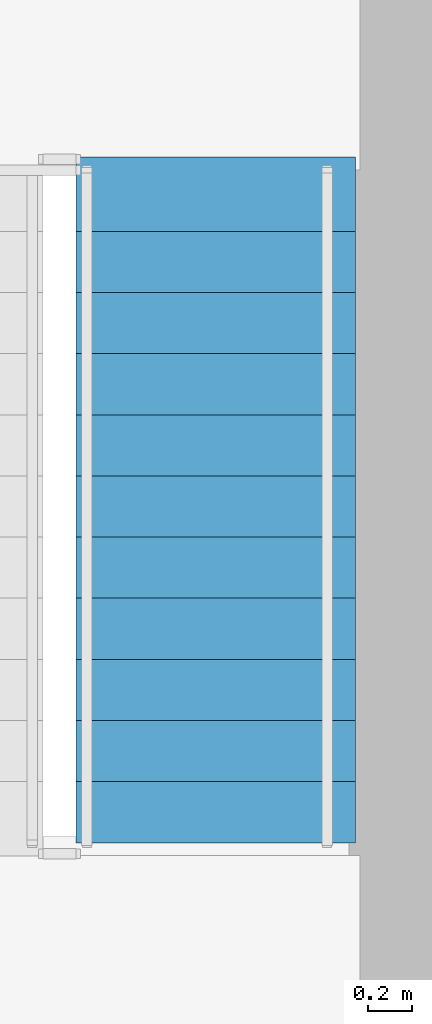
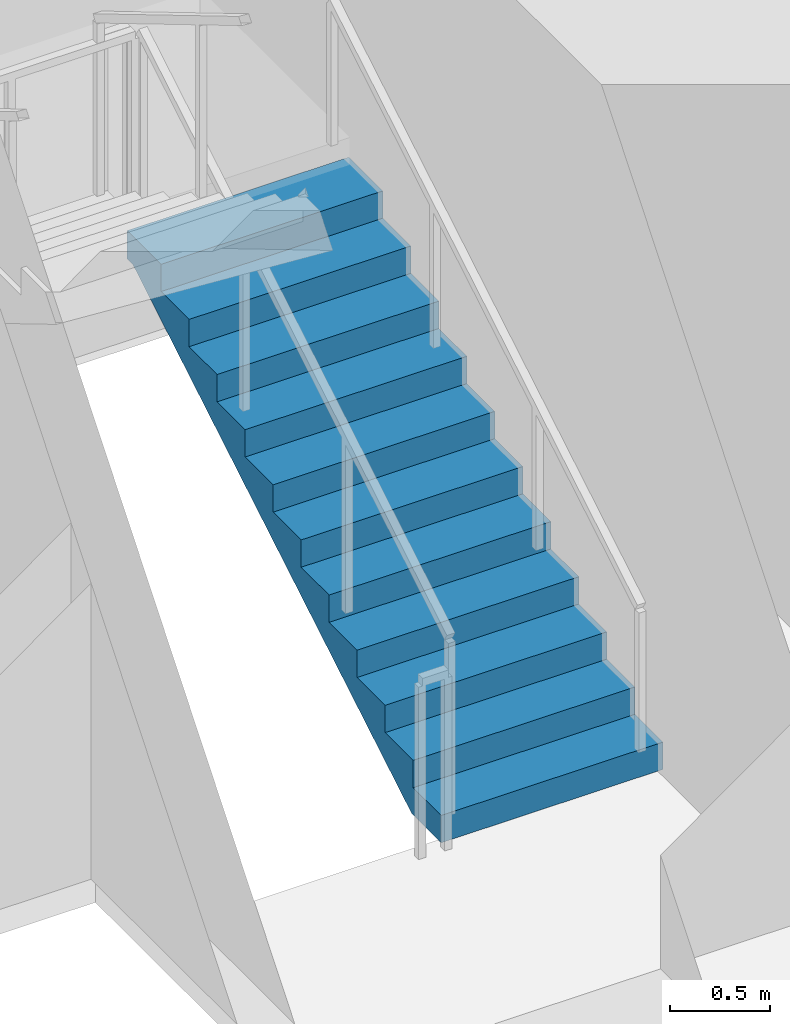
# One storey, part 11 of 17: 1 stair flight, 1 element without a shape of its own.
"""IFC4 building model written with IfcOpenShell, lengths in metres."""

import ifcopenshell
import ifcopenshell.guid

model = None  # the IFC model being written
_history = None  # IfcOwnerHistory: only IFC2X3 demands one
_inside = {}  # id of a spatial element -> (the spatial element, [elements in it])
_under = {}  # id of a project, library or spatial element -> (it, [spatial elements below it])
_declared = {}  # id of a project -> (the project, [libraries it declares])
_typed = {}  # id of a type object -> (the type object, [elements of that type])
_made_of = {}  # id of a material, layer set ... -> (it, [elements and type objects made of it])


def new_model(schema):
    """Start an empty IFC model of exactly this schema.

    Asked for "IFC4X3", IfcOpenShell would pick the latest addendum, in which some entities
    have other attributes; the version numbers below select the first issue.
    IFC2X3 requires an IfcOwnerHistory on every rooted entity: one is made here for all.
    """
    global model, _history
    if schema == "IFC4X3":
        model = ifcopenshell.file(schema_version=(4, 3, 0, 0))
    else:
        model = ifcopenshell.file(schema=schema)
    _inside.clear()
    _under.clear()
    _declared.clear()
    _typed.clear()
    _made_of.clear()
    _history = None
    if model.schema == "IFC2X3":
        org = make("IfcOrganization", Name="unknown")
        user = make(
            "IfcPersonAndOrganization",
            ThePerson=make("IfcPerson", FamilyName="unknown"),
            TheOrganization=org,
        )
        app = make(
            "IfcApplication",
            ApplicationDeveloper=org,
            Version="unknown",
            ApplicationFullName="unknown",
            ApplicationIdentifier="unknown",
        )
        _history = make(
            "IfcOwnerHistory",
            OwningUser=user,
            OwningApplication=app,
            ChangeAction="ADDED",
            CreationDate=0,
        )
    return model


def make(cls, **values):
    """One entity of the class cls with the attributes given. An attribute that is None is left unset."""
    return model.create_entity(
        cls, **{name: value for name, value in values.items() if value is not None}
    )


def rooted(cls, **values):
    """An entity with a GlobalId (a new one), such as an element, a storey or a relation."""
    return make(cls, GlobalId=ifcopenshell.guid.new(), OwnerHistory=_history, **values)


def si_unit(unit_type, name, prefix=None):
    """IfcSIUnit, for example si_unit("LENGTHUNIT", "METRE", prefix="MILLI")."""
    return make("IfcSIUnit", UnitType=unit_type, Prefix=prefix, Name=name)


def assignment(units):
    """IfcUnitAssignment: the units of a project."""
    return None if units is None else make("IfcUnitAssignment", Units=units)


def point(xyz):
    """IfcCartesianPoint."""
    return None if xyz is None else make("IfcCartesianPoint", Coordinates=xyz)


def direction(xyz):
    """IfcDirection."""
    return None if xyz is None else make("IfcDirection", DirectionRatios=xyz)


def frame(location, z_axis=None, x_axis=None):
    """IfcAxis2Placement3D, a coordinate frame: its origin and axes. An axis left out is left unset."""
    return make(
        "IfcAxis2Placement3D",
        Location=point(location),
        Axis=direction(z_axis),
        RefDirection=direction(x_axis),
    )


def origin():
    """The frame at (0, 0, 0) with its axes left unset."""
    return frame((0.0, 0.0, 0.0))


def place(relative_to, where):
    """IfcLocalPlacement: puts the frame where relative to a parent placement (None: the world)."""
    return make(
        "IfcLocalPlacement", PlacementRelTo=relative_to, RelativePlacement=where
    )


def context(
    kind, dimensions, precision=None, world=None, true_north=None, identifier=None
):
    """IfcGeometricRepresentationContext, for example the 3D "Model" context."""
    return make(
        "IfcGeometricRepresentationContext",
        ContextIdentifier=identifier,
        ContextType=kind,
        CoordinateSpaceDimension=dimensions,
        Precision=precision,
        WorldCoordinateSystem=world,
        TrueNorth=true_north,
    )


def subcontext(parent, identifier, kind, view, scale=None):
    """IfcGeometricRepresentationSubContext, for example "Body" below "Model"."""
    return make(
        "IfcGeometricRepresentationSubContext",
        ContextIdentifier=identifier,
        ContextType=kind,
        ParentContext=parent,
        TargetScale=scale,
        TargetView=view,
    )


def project(units=None, contexts=None):
    """IfcProject with its units and contexts."""
    return rooted(
        "IfcProject",
        Name="project",
        RepresentationContexts=contexts,
        UnitsInContext=assignment(units),
    )


def spatial(cls, under=None, at=None, **own):
    """A site, building, storey or space (cls), placed at a placement, below another one or the project."""
    s = rooted(cls, ObjectPlacement=at, **own)
    if under is not None:
        _under.setdefault(under.id(), (under, []))[1].append(s)
    return s


def polyline(points):
    """IfcPolyline through the points."""
    return make("IfcPolyline", Points=[point(p) for p in points])


def outline(outer, holes=None, kind="AREA"):
    """IfcArbitraryClosedProfileDef: a profile drawn as a closed curve; with holes, ...WithVoids."""
    if holes is None:
        return make("IfcArbitraryClosedProfileDef", ProfileType=kind, OuterCurve=outer)
    return make(
        "IfcArbitraryProfileDefWithVoids",
        ProfileType=kind,
        OuterCurve=outer,
        InnerCurves=holes,
    )


def extrude(swept, where, along, depth):
    """IfcExtrudedAreaSolid: the profile swept, set in the frame where, extruded along a direction by depth."""
    return make(
        "IfcExtrudedAreaSolid",
        SweptArea=swept,
        Position=where,
        ExtrudedDirection=direction(along),
        Depth=depth,
    )


def shape(context_of_items, identifier, shape_type, items):
    """IfcShapeRepresentation: the items that make up one representation, for example the "Body"."""
    return make(
        "IfcShapeRepresentation",
        ContextOfItems=context_of_items,
        RepresentationIdentifier=identifier,
        RepresentationType=shape_type,
        Items=items,
    )


def material(Name=None, Category=None):
    """IfcMaterial."""
    return make("IfcMaterial", Name=Name, Category=Category)


def made_of(thing, what):
    """Note that an element or type object is made of a material, layer set ...; save() writes the relation."""
    if what is not None:
        _made_of.setdefault(what.id(), (what, []))[1].append(thing)
    return thing


def type_object(cls, material=None, **own):
    """A type object (cls), such as IfcWallType, which elements share."""
    return made_of(rooted(cls, **own), material)


def element(
    cls,
    number,
    at=None,
    inside=None,
    cuts=None,
    type_object=None,
    material=None,
    context=None,
    identifier="Body",
    shape_type=None,
    held_by="IfcProductDefinitionShape",
    body=None,
    shapes=None,
    **own,
):
    """One element of the class cls, such as IfcWall. Its Tag is "e" and its number.

    at: its placement. inside: the storey or other place that contains it. cuts: it is an
    opening in that element (IfcRelVoidsElement). A single representation is given by context,
    identifier, shape_type and body (its items); several are given by shapes. held_by: the class
    of the entity that holds the representations. save() writes the other relations.
    """
    e = rooted(cls, Tag="e%d" % number, ObjectPlacement=at, **own)
    if body is not None:
        shapes = [shape(context, identifier, shape_type, body)]
    if shapes is not None:
        e.Representation = make(held_by, Representations=shapes)
    if inside is not None:
        _inside.setdefault(inside.id(), (inside, []))[1].append(e)
    if cuts is not None:
        rooted(
            "IfcRelVoidsElement", RelatingBuildingElement=cuts, RelatedOpeningElement=e
        )
    if type_object is not None:
        _typed.setdefault(type_object.id(), (type_object, []))[1].append(e)
    return made_of(e, material)


def aggregate(whole, parts):
    """IfcRelAggregates: a whole, such as a stair, and the parts it consists of."""
    return rooted("IfcRelAggregates", RelatingObject=whole, RelatedObjects=parts)


def save(model, path):
    """Write the relations noted so far, then the file.

    IfcRelAggregates (storeys below a building ...), IfcRelContainedInSpatialStructure (elements
    in a storey), IfcRelDefinesByType, IfcRelAssociatesMaterial and IfcRelDeclares: one each for
    every whole, place, type object, material and project.
    """
    for whole, parts in _under.values():
        aggregate(whole, parts)
    for where, things in _inside.values():
        rooted(
            "IfcRelContainedInSpatialStructure",
            RelatedElements=things,
            RelatingStructure=where,
        )
    for kind, things in _typed.values():
        rooted("IfcRelDefinesByType", RelatedObjects=things, RelatingType=kind)
    for what, things in _made_of.values():
        rooted("IfcRelAssociatesMaterial", RelatedObjects=things, RelatingMaterial=what)
    for by, libraries in _declared.values():
        rooted("IfcRelDeclares", RelatingContext=by, RelatedDefinitions=libraries)
    model.write(path)


model = new_model("IFC4")

# Units and contexts
model_context = context("Model", 3, precision=1e-05, world=origin(), true_north=direction((0.0, 1.0)))
body_context = subcontext(model_context, "Body", "Model", "MODEL_VIEW")
ifc_project = project(units=[si_unit("LENGTHUNIT", "METRE"), si_unit("AREAUNIT", "SQUARE_METRE"), si_unit("VOLUMEUNIT", "CUBIC_METRE"), si_unit("PLANEANGLEUNIT", "RADIAN"), si_unit("MASSUNIT", "GRAM", prefix="KILO")], contexts=[model_context])

# Site, building, storey
site_placement = place(None, origin())
site = spatial("IfcSite", under=ifc_project, at=site_placement, CompositionType="ELEMENT")
building_placement = place(site_placement, origin())
building = spatial("IfcBuilding", under=site, at=building_placement, Name="Sennacour Bend Tower", CompositionType="ELEMENT")
storey_placement = place(building_placement, frame((0.0, 0.0, 49.0)))
storey = spatial("IfcBuildingStorey", under=building, at=storey_placement, Name="L10", CompositionType="ELEMENT", Elevation=49.0)

# Stair, stair flight
ifc_material = material(Name="Concrete C40/50", Category="concrete")
stair_type = type_object("IfcStairType", Name="ST-DOGLEG", PredefinedType="HALF_TURN_STAIR", material=ifc_material)
stair_placement = place(storey_placement, origin())
stair = element("IfcStair", 1, at=stair_placement, inside=storey, type_object=stair_type, Name="L10 Exit stair B2", PredefinedType="HALF_TURN_STAIR")
stair_flight_type = type_object("IfcStairFlightType", Name="SFL-RC", PredefinedType="STRAIGHT", material=ifc_material)
stair_flight_placement = place(storey_placement, frame((20.68994140625, 38.699951171875, 0.0), z_axis=(0.0, 0.0, 1.0), x_axis=(0.0, 1.0, 0.0)))
stair_flight = element("IfcStairFlight", 2, at=stair_flight_placement, type_object=stair_flight_type, Name="SB2 flight 1", NumberOfRisers=12, NumberOfTreads=11, PredefinedType="STRAIGHT", RiserHeight=0.166666667, TreadLength=0.28, context=body_context, shape_type="SweptSolid", body=[
    extrude(outline(polyline([(0.0, 0.0), (0.0, 0.166748046875), (0.280029296875, 0.166748046875), (0.280029296875, 0.333251953125), (0.56005859375, 0.333251953125), (0.56005859375, 0.5), (0.840087890625, 0.5), (0.840087890625, 0.666748046875), (1.1201171875, 0.666748046875), (1.1201171875, 0.833251953125), (1.39990234375, 0.833251953125), (1.39990234375, 1.0), (1.679931640625, 1.0), (1.679931640625, 1.166748046875), (1.9599609375, 1.166748046875), (1.9599609375, 1.333251953125), (2.239990234375, 1.333251953125), (2.239990234375, 1.5), (2.52001953125, 1.5), (2.52001953125, 1.666748046875), (2.800048828125, 1.666748046875), (2.800048828125, 1.833251953125), (3.080078125, 1.833251953125), (3.139892578125, 1.833251953125), (3.139892578125, 1.658935546875), (3.080078125, 1.658935546875), (0.29296875, 0.0), (0.0, 0.0)])), frame((0.0, 0.64013671875, 0.0), z_axis=(0.0, -1.0, 0.0), x_axis=(1.0, 0.0, 0.0)), (0.0, 0.0, 1.0), 1.280029296875),
])
aggregate(stair, [stair_flight])

save(model, "model.ifc")
